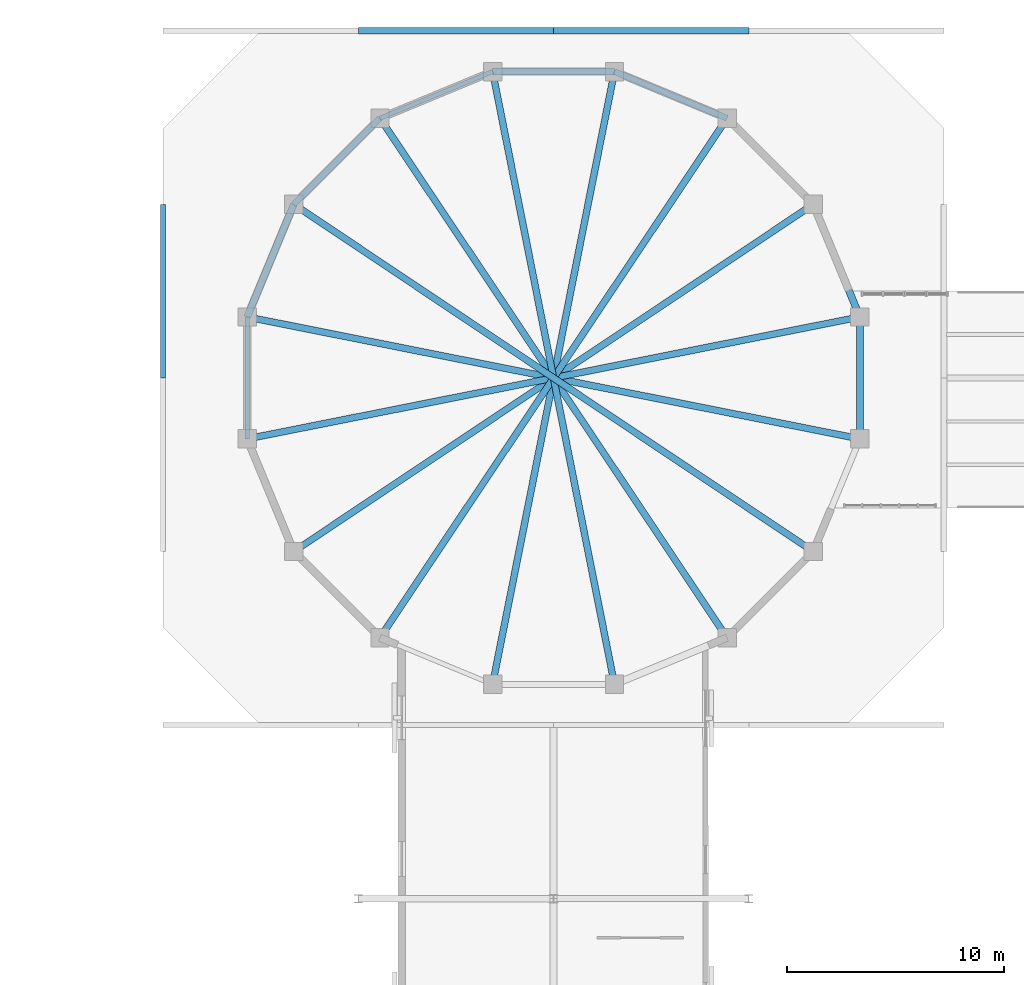
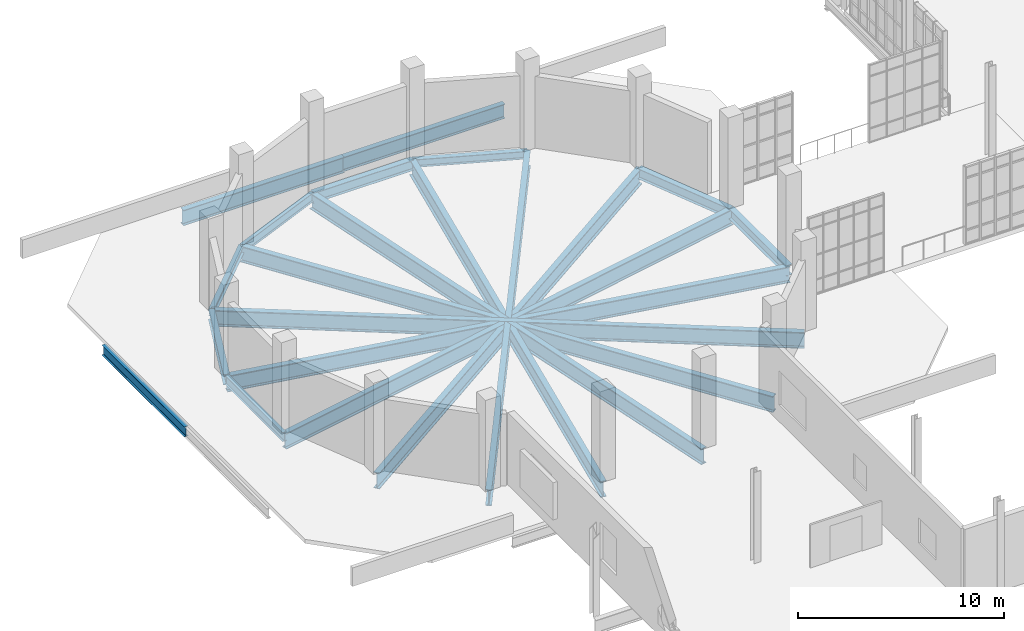
# One storey, part 59 of 142: 19 beams.
"""IFC4 building model written with IfcOpenShell, lengths in metres."""

from ifc_helpers import new_model, si_unit, direction, frame, origin, origin_2d, place, context, subcontext, project, spatial, i_section, extrude, material, material_profile, profile_set, type_object, element, save


model = new_model("IFC4")

# Units and contexts
model_context = context("Model", 3, precision=1e-05, world=origin(), true_north=direction((0.0, 1.0)))
body_context = subcontext(model_context, "Body", "Model", "MODEL_VIEW")
ifc_project = project(units=[si_unit("LENGTHUNIT", "METRE"), si_unit("AREAUNIT", "SQUARE_METRE"), si_unit("VOLUMEUNIT", "CUBIC_METRE"), si_unit("PLANEANGLEUNIT", "RADIAN"), si_unit("MASSUNIT", "GRAM", prefix="KILO"), si_unit("THERMODYNAMICTEMPERATUREUNIT", "KELVIN"), si_unit("POWERUNIT", "WATT")], contexts=[model_context])

# Site, building, storey
site_placement = place(None, origin())
site = spatial("IfcSite", under=ifc_project, at=site_placement, CompositionType="ELEMENT")
building_placement = place(site_placement, origin())
building = spatial("IfcBuilding", under=site, at=building_placement, Name="Zelmaris Science Centre", CompositionType="ELEMENT")
storey_placement = place(building_placement, frame((0.0, 0.0, 5.39990234375)))
storey = spatial("IfcBuildingStorey", under=building, at=storey_placement, Name="L01", CompositionType="ELEMENT", Elevation=5.39990234375)

# Beams
ifc_material = material(Name="Steel ASTM A992 Grade 50", Category="steel")
ifc_material_profile_1 = material_profile(ifc_material, i_section(OverallWidth=0.31005859375, OverallDepth=0.949951171875, WebThickness=0.0244140625, FlangeThickness=0.0439453125, FilletRadius=0.02392578125, at=origin_2d()), Name="W36X256")
ifc_profile_set_1 = profile_set([ifc_material_profile_1], Name="Steel ASTM A992 Grade 50")
beam_type_1 = type_object("IfcBeamType", Name="Beam G-01 W36X256", PredefinedType="BEAM", material=ifc_profile_set_1)
for number, where, z_axis, x_axis, name in (
    (1, (41.123291015625, 74.809326171875, -0.7548828125), (-0.980784896113, -0.195092253964, 0.0), (0.195092253964, -0.980784896113, 0.0), "L01 Planetarium clear-span girder 1"),
    (2, (38.97314453125, 80.000244140625, -0.7548828125), (-0.831468177203, -0.555572380791, 0.0), (0.555572380791, -0.831468177203, 0.0), "L01 Planetarium clear-span girder 2"),
    (3, (35.000244140625, 83.97314453125, -0.7548828125), (-0.555572380791, -0.831468177203, 0.0), (0.831468177203, -0.555572380791, 0.0), "L01 Planetarium clear-span girder 3"),
    (4, (29.809326171875, 86.123291015625, -0.7548828125), (-0.195092253964, -0.980784896113, 0.0), (0.980784896113, -0.195092253964, 0.0), "L01 Planetarium clear-span girder 4"),
    (5, (24.190673828125, 86.123291015625, -0.7548828125), (0.195092253964, -0.980784896113, 0.0), (0.980784896113, 0.195092253964, 0.0), "L01 Planetarium clear-span girder 5"),
    (6, (18.999755859375, 83.97314453125, -0.7548828125), (0.555572380791, -0.831468177203, 0.0), (0.831468177203, 0.555572380791, 0.0), "L01 Planetarium clear-span girder 6"),
    (7, (15.02685546875, 80.000244140625, -0.7548828125), (0.831468177203, -0.555572380791, 0.0), (0.555572380791, 0.831468177203, 0.0), "L01 Planetarium clear-span girder 7"),
    (8, (12.876708984375, 74.809326171875, -0.7548828125), (0.980784896113, -0.195092253964, 0.0), (0.195092253964, 0.980784896113, 0.0), "L01 Planetarium clear-span girder 8"),
):
    element("IfcBeam", number, at=place(storey_placement, frame(where, z_axis=z_axis, x_axis=x_axis)), inside=storey, type_object=beam_type_1, Name=name, PredefinedType="BEAM", context=body_context, shape_type="SweptSolid", body=[
        extrude(i_section(OverallWidth=0.31005859375, OverallDepth=0.949951171875, WebThickness=0.0244140625, FlangeThickness=0.0439453125, FilletRadius=0.02392578125, at=origin_2d()), origin(), (0.0, 0.0, 1.0), 28.800048828125),
    ])
ifc_material_profile_2 = material_profile(ifc_material, i_section(OverallWidth=0.304931640625, OverallDepth=0.9140625, WebThickness=0.0166015625, FlangeThickness=0.02587890625, FilletRadius=0.02392578125, at=origin_2d()), Name="W36X160")
ifc_profile_set_2 = profile_set([ifc_material_profile_2], Name="Steel ASTM A992 Grade 50")
beam_type_2 = type_object("IfcBeamType", Name="Beam G-04 W36X160", PredefinedType="BEAM", material=ifc_profile_set_2)
beam_1_placement = place(storey_placement, frame((18.0, 88.0, -0.73681640625), z_axis=(1.0, 0.0, 0.0), x_axis=(0.0, 1.0, 0.0)))
element("IfcBeam", 9, at=beam_1_placement, inside=storey, type_object=beam_type_2, Name="L01 East-west girder 404", PredefinedType="BEAM", context=body_context, shape_type="SweptSolid", body=[
    extrude(i_section(OverallWidth=0.304931640625, OverallDepth=0.9140625, WebThickness=0.0166015625, FlangeThickness=0.02587890625, FilletRadius=0.02392578125, at=origin_2d()), origin(), (0.0, 0.0, 1.0), 9.0),
])
ifc_material_profile_3 = material_profile(ifc_material, i_section(OverallWidth=0.294921875, OverallDepth=0.85107421875, WebThickness=0.01611328125, FlangeThickness=0.02685546875, FilletRadius=0.02001953125, at=origin_2d()), Name="W33X152")
ifc_profile_set_3 = profile_set([ifc_material_profile_3], Name="Steel ASTM A992 Grade 50")
beam_type_3 = type_object("IfcBeamType", Name="Beam G-06 W33X152", PredefinedType="BEAM", material=ifc_profile_set_3)
beam_2_placement = place(storey_placement, frame((27.0, 88.0, -0.705322265625), z_axis=(1.0, 0.0, 0.0), x_axis=(0.0, 1.0, 0.0)))
element("IfcBeam", 10, at=beam_2_placement, inside=storey, type_object=beam_type_3, Name="L01 East-west girder 405", PredefinedType="BEAM", context=body_context, shape_type="SweptSolid", body=[
    extrude(i_section(OverallWidth=0.294921875, OverallDepth=0.85107421875, WebThickness=0.01611328125, FlangeThickness=0.02685546875, FilletRadius=0.02001953125, at=origin_2d()), origin(), (0.0, 0.0, 1.0), 9.0),
])
ifc_material_profile_4 = material_profile(ifc_material, i_section(OverallWidth=0.22900390625, OverallDepth=0.60205078125, WebThickness=0.010498046875, FlangeThickness=0.014892578125, FilletRadius=0.014892578125, at=origin_2d()), Name="W24X68")
ifc_profile_set_4 = profile_set([ifc_material_profile_4], Name="Steel ASTM A992 Grade 50")
beam_type_4 = type_object("IfcBeamType", Name="Beam G-17 W24X68", PredefinedType="BEAM", material=ifc_profile_set_4)
beam_3_placement = place(storey_placement, frame((9.0, 72.0, -0.580810546875), z_axis=(0.0, 1.0, 0.0), x_axis=(-1.0, 0.0, 0.0)))
element("IfcBeam", 11, at=beam_3_placement, inside=storey, type_object=beam_type_4, Name="L01 North-south girder 258", PredefinedType="BEAM", context=body_context, shape_type="SweptSolid", body=[
    extrude(i_section(OverallWidth=0.22900390625, OverallDepth=0.60205078125, WebThickness=0.010498046875, FlangeThickness=0.014892578125, FilletRadius=0.014892578125, at=origin_2d()), origin(), (0.0, 0.0, 1.0), 8.0),
])
ifc_material_profile_5 = material_profile(ifc_material, i_section(OverallWidth=0.324951171875, OverallDepth=0.612060546875, WebThickness=0.0126953125, FlangeThickness=0.01904296875, FilletRadius=0.014892578125, at=origin_2d()), Name="W24X104")
ifc_profile_set_5 = profile_set([ifc_material_profile_5], Name="Steel ASTM A992 Grade 50")
beam_type_5 = type_object("IfcBeamType", Name="Beam SP-01 W24X104", PredefinedType="SPANDREL", material=ifc_profile_set_5)
for number, where, z_axis, x_axis, name in (
    (12, (41.123291015625, 74.809326171875, -0.5859375), (-0.38268310735, 0.923879667137, 0.0), (-0.923879667137, -0.38268310735, 0.0), "L01 Planetarium drum ring beam 1"),
    (13, (29.809326171875, 86.123291015625, -0.5859375), (-1.0, 0.0, 0.0), (0.0, -1.0, 0.0), "L01 Planetarium drum ring beam 4"),
    (14, (15.02685546875, 80.000244140625, -0.5859375), (-0.38268310735, -0.923879667137, 0.0), (0.923879667137, -0.38268310735, 0.0), "L01 Planetarium drum ring beam 7"),
    (15, (41.123291015625, 69.190673828125, -0.5859375), (0.0, 1.0, 0.0), (-1.0, 0.0, 0.0), "L01 Planetarium drum ring beam 16"),
):
    element("IfcBeam", number, at=place(storey_placement, frame(where, z_axis=z_axis, x_axis=x_axis)), inside=storey, type_object=beam_type_5, Name=name, PredefinedType="SPANDREL", context=body_context, shape_type="SweptSolid", body=[
        extrude(i_section(OverallWidth=0.324951171875, OverallDepth=0.612060546875, WebThickness=0.0126953125, FlangeThickness=0.01904296875, FilletRadius=0.014892578125, at=origin_2d()), origin(), (0.0, 0.0, 1.0), 5.61865234375),
    ])
ifc_material_profile_6 = material_profile(ifc_material, i_section(OverallWidth=0.2109375, OverallDepth=0.5380859375, WebThickness=0.01171875, FlangeThickness=0.018798828125, FilletRadius=0.013916015625, at=origin_2d()), Name="W21X73")
ifc_profile_set_6 = profile_set([ifc_material_profile_6], Name="Steel ASTM A992 Grade 50")
beam_type_6 = type_object("IfcBeamType", Name="Beam SP-02 W21X73", PredefinedType="SPANDREL", material=ifc_profile_set_6)
for number, where, z_axis, x_axis, name in (
    (16, (24.190673828125, 86.123291015625, -0.548828125), (-0.923879667137, -0.38268310735, 0.0), (0.38268310735, -0.923879667137, 0.0), "L01 Planetarium drum ring beam 5"),
    (17, (12.876708984375, 74.809326171875, -0.548828125), (0.0, -1.0, 0.0), (1.0, 0.0, 0.0), "L01 Planetarium drum ring beam 8"),
):
    element("IfcBeam", number, at=place(storey_placement, frame(where, z_axis=z_axis, x_axis=x_axis)), inside=storey, type_object=beam_type_6, Name=name, PredefinedType="SPANDREL", context=body_context, shape_type="SweptSolid", body=[
        extrude(i_section(OverallWidth=0.2109375, OverallDepth=0.5380859375, WebThickness=0.01171875, FlangeThickness=0.018798828125, FilletRadius=0.013916015625, at=origin_2d()), origin(), (0.0, 0.0, 1.0), 5.61865234375),
    ])
ifc_material_profile_7 = material_profile(ifc_material, i_section(OverallWidth=0.279052734375, OverallDepth=0.4619140625, WebThickness=0.0107421875, FlangeThickness=0.017333984375, FilletRadius=0.012939453125, at=origin_2d()), Name="W18X76")
ifc_profile_set_7 = profile_set([ifc_material_profile_7], Name="Steel ASTM A992 Grade 50")
beam_type_7 = type_object("IfcBeamType", Name="Beam SP-03 W18X76", PredefinedType="SPANDREL", material=ifc_profile_set_7)
beam_4_placement = place(storey_placement, frame((35.000244140625, 83.97314453125, -0.510986328125), z_axis=(-0.923879667137, 0.38268310735, 0.0), x_axis=(-0.38268310735, -0.923879667137, 0.0)))
element("IfcBeam", 18, at=beam_4_placement, inside=storey, type_object=beam_type_7, Name="L01 Planetarium drum ring beam 3", PredefinedType="SPANDREL", context=body_context, shape_type="SweptSolid", body=[
    extrude(i_section(OverallWidth=0.279052734375, OverallDepth=0.4619140625, WebThickness=0.0107421875, FlangeThickness=0.017333984375, FilletRadius=0.012939453125, at=origin_2d()), origin(), (0.0, 0.0, 1.0), 5.61865234375),
])
beam_5_placement = place(storey_placement, frame((18.999755859375, 83.97314453125, -0.510986328125), z_axis=(-0.707106781187, -0.707106781187, 0.0), x_axis=(0.707106781187, -0.707106781187, 0.0)))
element("IfcBeam", 19, at=beam_5_placement, inside=storey, type_object=beam_type_7, Name="L01 Planetarium drum ring beam 6", PredefinedType="SPANDREL", context=body_context, shape_type="SweptSolid", body=[
    extrude(i_section(OverallWidth=0.279052734375, OverallDepth=0.4619140625, WebThickness=0.0107421875, FlangeThickness=0.017333984375, FilletRadius=0.012939453125, at=origin_2d()), origin(), (0.0, 0.0, 1.0), 5.618408203125),
])

save(model, "model.ifc")
